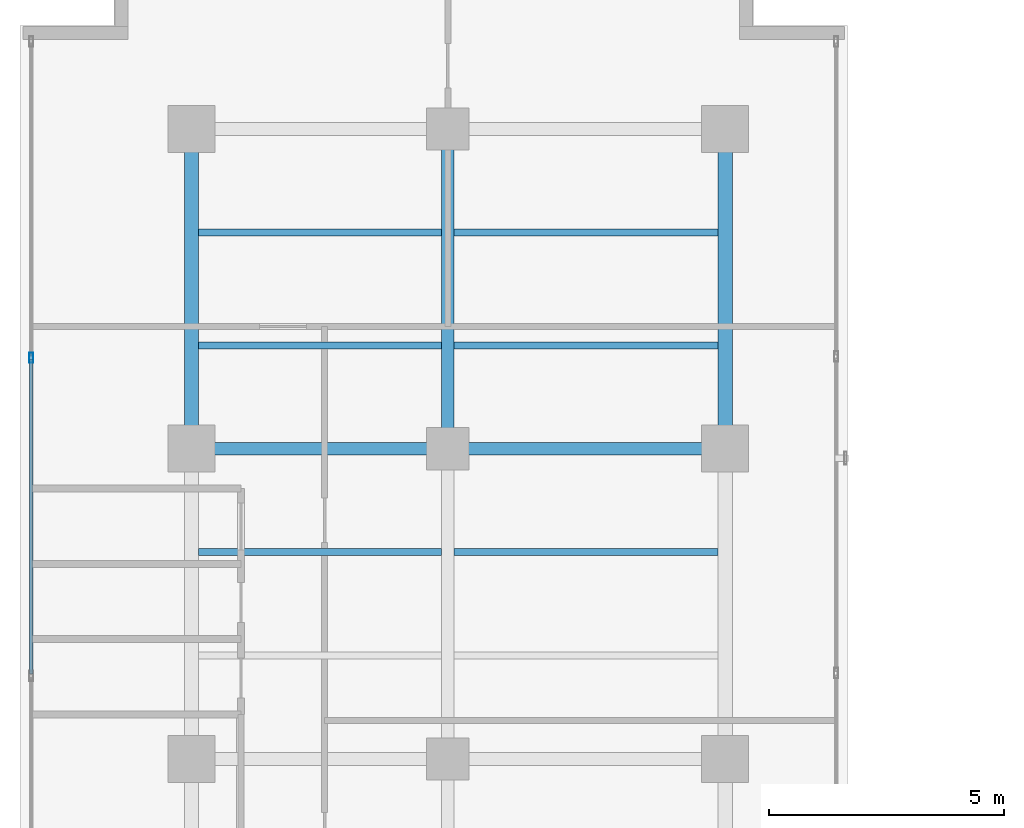
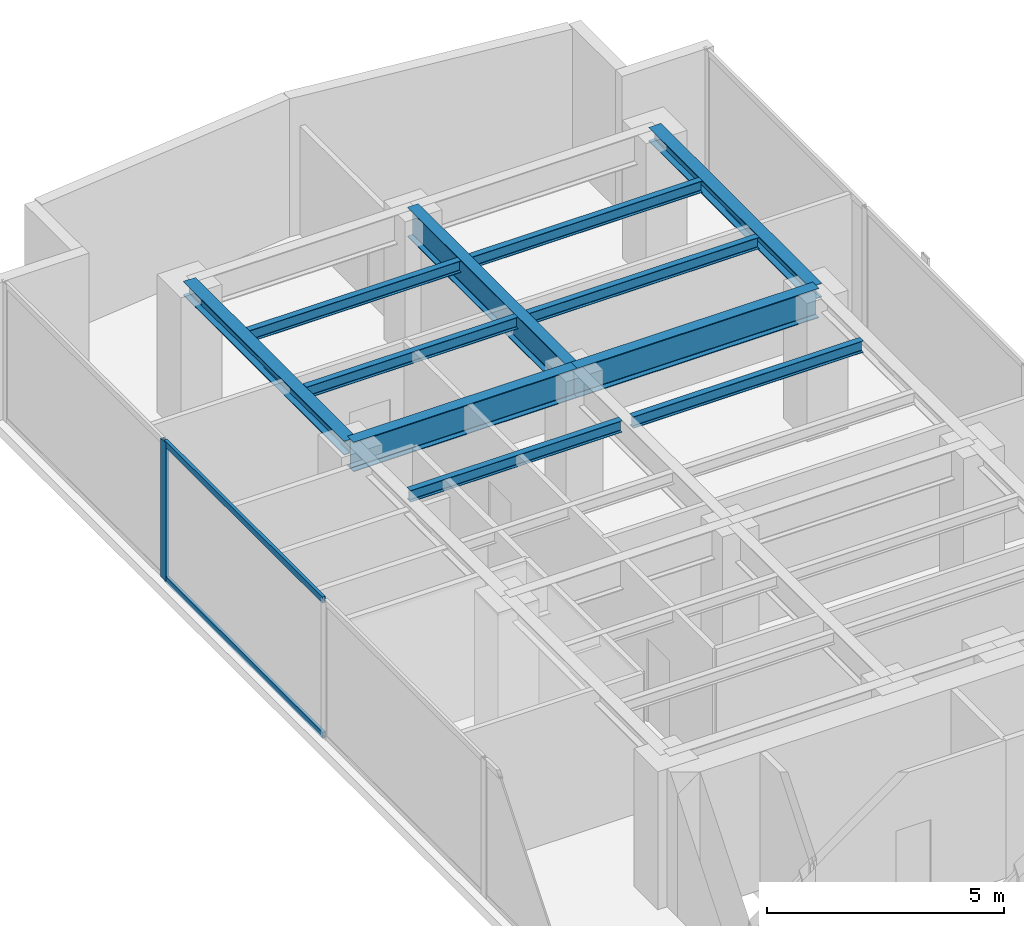
# One storey, part 13 of 23: 11 beams, 3 members, 1 element without a shape of its own.
"""IFC4 building model written with IfcOpenShell, lengths in metres."""

from ifc_helpers import new_model, si_unit, direction, frame, origin, origin_with_axes, origin_2d, place, context, subcontext, project, spatial, hollow_rectangle, i_section, extrude, source, transform, mapped, material, layer, layer_set, material_profile, profile_set, type_object, element, aggregate, save


model = new_model("IFC4")

# Units and contexts
model_context = context("Model", 3, precision=1e-05, world=origin(), true_north=direction((0.0, 1.0)))
body_context = subcontext(model_context, "Body", "Model", "MODEL_VIEW")
ifc_project = project(units=[si_unit("LENGTHUNIT", "METRE"), si_unit("AREAUNIT", "SQUARE_METRE"), si_unit("VOLUMEUNIT", "CUBIC_METRE"), si_unit("PLANEANGLEUNIT", "RADIAN"), si_unit("MASSUNIT", "GRAM", prefix="KILO")], contexts=[model_context])

# Site, building, storey
site_placement = place(None, origin())
site = spatial("IfcSite", under=ifc_project, at=site_placement, CompositionType="ELEMENT")
building_placement = place(site_placement, origin())
building = spatial("IfcBuilding", under=site, at=building_placement, Name="Kolvaren Waterfront Exchange", CompositionType="ELEMENT")
storey_placement = place(building_placement, frame((0.0, 0.0, 250.10009765625)))
storey = spatial("IfcBuildingStorey", under=building, at=storey_placement, Name="L64", CompositionType="ELEMENT", Elevation=250.10009765625)

# Beams
ifc_material_1 = material(Name="Steel S355", Category="steel")
ifc_material_profile_1 = material_profile(ifc_material_1, i_section(OverallWidth=0.300048828125, OverallDepth=0.360107421875, WebThickness=0.012451171875, FlangeThickness=0.0224609375, FilletRadius=0.027099609375, at=origin_2d()), Name="HEB360")
ifc_profile_set_1 = profile_set([ifc_material_profile_1], Name="Steel S355")
beam_type_1 = type_object("IfcBeamType", Name="STR-BM-HEB360", PredefinedType="SPANDREL", material=ifc_profile_set_1)
for number, where, z_axis, x_axis, name in (
    (1, (7.449951171875, 37.800048828125, 3.3798828125), (0.0, 1.0, 0.0), (-1.0, 0.0, 0.0), "L64 north-arm edge beam 3"),
    (2, (18.800048828125, 37.800048828125, 3.3798828125), (0.0, 1.0, 0.0), (-1.0, 0.0, 0.0), "L64 north-arm edge beam 3"),
):
    element("IfcBeam", number, at=place(storey_placement, frame(where, z_axis=z_axis, x_axis=x_axis)), inside=storey, type_object=beam_type_1, Name=name, PredefinedType="SPANDREL", context=body_context, shape_type="SweptSolid", body=[
        extrude(i_section(OverallWidth=0.300048828125, OverallDepth=0.360107421875, WebThickness=0.012451171875, FlangeThickness=0.0224609375, FilletRadius=0.027099609375, at=origin_2d()), origin(), (0.0, 0.0, 1.0), 6.800048828125),
    ])
ifc_material_profile_2 = material_profile(ifc_material_1, i_section(OverallWidth=0.14990234375, OverallDepth=0.300048828125, WebThickness=0.007080078125, FlangeThickness=0.0107421875, FilletRadius=0.014892578125, at=origin_2d()), Name="IPE300")
ifc_profile_set_2 = profile_set([ifc_material_profile_2], Name="Steel S355")
beam_type_2 = type_object("IfcBeamType", Name="STR-BM-IPE300", PredefinedType="JOIST", material=ifc_profile_set_2)
beam_1_placement = place(storey_placement, frame((7.60205078125, 35.60009765625, 3.409912109375), z_axis=(1.0, 0.0, 0.0), x_axis=(0.0, 1.0, 0.0)))
element("IfcBeam", 3, at=beam_1_placement, inside=storey, type_object=beam_type_2, Name="L64 north-arm composite joist 4A", PredefinedType="JOIST", context=body_context, shape_type="SweptSolid", body=[
    extrude(i_section(OverallWidth=0.14990234375, OverallDepth=0.300048828125, WebThickness=0.007080078125, FlangeThickness=0.0107421875, FilletRadius=0.014892578125, at=origin_2d()), origin(), (0.0, 0.0, 1.0), 5.162353515625),
])
beam_2_placement = place(storey_placement, frame((13.035400390625, 35.60009765625, 3.409912109375), z_axis=(1.0, 0.0, 0.0), x_axis=(0.0, 1.0, 0.0)))
element("IfcBeam", 4, at=beam_2_placement, inside=storey, type_object=beam_type_2, Name="L64 north-arm composite joist 4B", PredefinedType="JOIST", context=body_context, shape_type="SweptSolid", body=[
    extrude(i_section(OverallWidth=0.14990234375, OverallDepth=0.300048828125, WebThickness=0.007080078125, FlangeThickness=0.0107421875, FilletRadius=0.014892578125, at=origin_2d()), origin(), (0.0, 0.0, 1.0), 5.612548828125),
])
beam_3_placement = place(storey_placement, frame((7.60205078125, 40.0, 3.409912109375), z_axis=(1.0, 0.0, 0.0), x_axis=(0.0, 1.0, 0.0)))
element("IfcBeam", 5, at=beam_3_placement, inside=storey, type_object=beam_type_2, Name="L64 north-arm composite joist 5A", PredefinedType="JOIST", context=body_context, shape_type="SweptSolid", body=[
    extrude(i_section(OverallWidth=0.14990234375, OverallDepth=0.300048828125, WebThickness=0.007080078125, FlangeThickness=0.0107421875, FilletRadius=0.014892578125, at=origin_2d()), origin(), (0.0, 0.0, 1.0), 5.162353515625),
])
beam_4_placement = place(storey_placement, frame((13.035400390625, 40.0, 3.409912109375), z_axis=(1.0, 0.0, 0.0), x_axis=(0.0, 1.0, 0.0)))
element("IfcBeam", 6, at=beam_4_placement, inside=storey, type_object=beam_type_2, Name="L64 north-arm composite joist 5B", PredefinedType="JOIST", context=body_context, shape_type="SweptSolid", body=[
    extrude(i_section(OverallWidth=0.14990234375, OverallDepth=0.300048828125, WebThickness=0.007080078125, FlangeThickness=0.0107421875, FilletRadius=0.014892578125, at=origin_2d()), origin(), (0.0, 0.0, 1.0), 5.612548828125),
])
beam_5_placement = place(storey_placement, frame((7.60205078125, 42.39990234375, 3.409912109375), z_axis=(1.0, 0.0, 0.0), x_axis=(0.0, 1.0, 0.0)))
element("IfcBeam", 7, at=beam_5_placement, inside=storey, type_object=beam_type_2, Name="L64 north-arm composite joist 6A", PredefinedType="JOIST", context=body_context, shape_type="SweptSolid", body=[
    extrude(i_section(OverallWidth=0.14990234375, OverallDepth=0.300048828125, WebThickness=0.007080078125, FlangeThickness=0.0107421875, FilletRadius=0.014892578125, at=origin_2d()), origin(), (0.0, 0.0, 1.0), 5.162353515625),
])
beam_6_placement = place(storey_placement, frame((13.035400390625, 42.39990234375, 3.409912109375), z_axis=(1.0, 0.0, 0.0), x_axis=(0.0, 1.0, 0.0)))
element("IfcBeam", 8, at=beam_6_placement, inside=storey, type_object=beam_type_2, Name="L64 north-arm composite joist 6B", PredefinedType="JOIST", context=body_context, shape_type="SweptSolid", body=[
    extrude(i_section(OverallWidth=0.14990234375, OverallDepth=0.300048828125, WebThickness=0.007080078125, FlangeThickness=0.0107421875, FilletRadius=0.014892578125, at=origin_2d()), origin(), (0.0, 0.0, 1.0), 5.612548828125),
])
ifc_material_profile_3 = material_profile(ifc_material_1, i_section(OverallWidth=0.26708984375, OverallDepth=0.761962890625, WebThickness=0.014404296875, FlangeThickness=0.021484375, FilletRadius=0.01708984375, at=origin_2d()), Name="IPE750x173")
ifc_profile_set_3 = profile_set([ifc_material_profile_3], Name="Steel S355")
beam_type_3 = type_object("IfcBeamType", Name="STR-BM-IPE750", PredefinedType="BEAM", material=ifc_profile_set_3)
beam_7_placement = place(storey_placement, frame((7.449951171875, 37.800048828125, 3.178955078125), z_axis=(1.0, 0.0, 0.0), x_axis=(0.0, 1.0, 0.0)))
element("IfcBeam", 9, at=beam_7_placement, inside=storey, type_object=beam_type_3, Name="L64 north-arm girder 3A", PredefinedType="BEAM", context=body_context, shape_type="SweptSolid", body=[
    extrude(i_section(OverallWidth=0.26708984375, OverallDepth=0.761962890625, WebThickness=0.014404296875, FlangeThickness=0.021484375, FilletRadius=0.01708984375, at=origin_2d()), origin(), (0.0, 0.0, 1.0), 5.449951171875),
])
beam_8_placement = place(storey_placement, frame((12.89990234375, 37.800048828125, 3.178955078125), z_axis=(1.0, 0.0, 0.0), x_axis=(0.0, 1.0, 0.0)))
element("IfcBeam", 10, at=beam_8_placement, inside=storey, type_object=beam_type_3, Name="L64 north-arm girder 3B", PredefinedType="BEAM", context=body_context, shape_type="SweptSolid", body=[
    extrude(i_section(OverallWidth=0.26708984375, OverallDepth=0.761962890625, WebThickness=0.014404296875, FlangeThickness=0.021484375, FilletRadius=0.01708984375, at=origin_2d()), origin(), (0.0, 0.0, 1.0), 5.900146484375),
])
beam_9_placement = place(storey_placement, frame((12.89990234375, 37.800048828125, 3.178955078125), z_axis=(0.0, 1.0, 0.0), x_axis=(-1.0, 0.0, 0.0)))
element("IfcBeam", 11, at=beam_9_placement, inside=storey, type_object=beam_type_3, Name="L64 north-arm edge beam 3", PredefinedType="BEAM", context=body_context, shape_type="SweptSolid", body=[
    extrude(i_section(OverallWidth=0.26708984375, OverallDepth=0.761962890625, WebThickness=0.014404296875, FlangeThickness=0.021484375, FilletRadius=0.01708984375, at=origin_2d()), origin(), (0.0, 0.0, 1.0), 6.800048828125),
])

# Curtain wall, members
ifc_material_2 = material(Name="Anodised aluminium 6063-T6", Category="aluminium")
ifc_layer = layer(ifc_material_2, 0.219970703125, Name="Anodised aluminium 6063-T6")
ifc_layer_set = layer_set([ifc_layer], Name="Anodised aluminium 6063-T6")
curtain_wall_type = type_object("IfcCurtainWallType", Name="ARC-CW-SYS2", PredefinedType="USERDEFINED", material=ifc_layer_set)
curtain_wall_placement = place(storey_placement, origin())
curtain_wall = element("IfcCurtainWall", 12, at=curtain_wall_placement, inside=storey, type_object=curtain_wall_type, Name="L64 stick curtain wall CW2 (CW-L64-W)", ObjectType="STICK CURTAIN WALL", PredefinedType="USERDEFINED")
ifc_material_profile_4 = material_profile(ifc_material_2, hollow_rectangle(XDim=0.074951171875, YDim=0.159912109375, WallThickness=0.00439453125, at=origin_2d()), Name="ALU-TRN-160x75x4.5")
ifc_profile_set_4 = profile_set([ifc_material_profile_4], Name="Anodised aluminium 6063-T6")
member_type_1 = type_object("IfcMemberType", Name="ARC-CWT-160", PredefinedType="USERDEFINED", material=ifc_profile_set_4)
shared_shape_1 = source(origin_with_axes(), body_context, "Body", "SweptSolid", [
    extrude(hollow_rectangle(XDim=0.074951171875, YDim=0.159912109375, WallThickness=0.00439453125, at=origin_2d()), origin(), (0.0, 0.0, 1.0), 6.686767578125),
])
member_1_placement = place(storey_placement, frame((4.0400390625, 33.006591796875, 0.037353515625), z_axis=(0.0, 1.0, 0.0), x_axis=(-1.0, 0.0, 0.0)))
member_1 = element("IfcMember", 13, at=member_1_placement, type_object=member_type_1, Name="CW2 transom 5.1", ObjectType="TRANSOM", PredefinedType="USERDEFINED", context=body_context, shape_type="MappedRepresentation", body=[
    mapped(shared_shape_1, transform((0.0, 0.0, 0.0), x_axis=(1.0, 0.0, 0.0), y_axis=(0.0, 1.0, 0.0), z_axis=(0.0, 0.0, 1.0), scale=1.0)),
])
member_2_placement = place(storey_placement, frame((4.0400390625, 33.006591796875, 3.5224609375), z_axis=(0.0, 1.0, 0.0), x_axis=(-1.0, 0.0, 0.0)))
member_2 = element("IfcMember", 14, at=member_2_placement, type_object=member_type_1, Name="CW2 transom 5.2", ObjectType="TRANSOM", PredefinedType="USERDEFINED", context=body_context, shape_type="MappedRepresentation", body=[
    mapped(shared_shape_1, transform((0.0, 0.0, 0.0), x_axis=(1.0, 0.0, 0.0), y_axis=(0.0, 1.0, 0.0), z_axis=(0.0, 0.0, 1.0), scale=1.0)),
])
ifc_material_profile_5 = material_profile(ifc_material_2, hollow_rectangle(XDim=0.080078125, YDim=0.219970703125, WallThickness=0.0048828125, at=origin_2d()), Name="ALU-MUL-220x80x5")
ifc_profile_set_5 = profile_set([ifc_material_profile_5], Name="Anodised aluminium 6063-T6")
member_type_2 = type_object("IfcMemberType", Name="ARC-CWM-220", PredefinedType="MULLION", material=ifc_profile_set_5)
shared_shape_2 = source(origin_with_axes(), body_context, "Body", "SweptSolid", [
    extrude(hollow_rectangle(XDim=0.080078125, YDim=0.219970703125, WallThickness=0.0048828125, at=origin_2d()), origin(), (0.0, 0.0, 1.0), 3.559814453125),
])
member_3_placement = place(storey_placement, frame((4.0400390625, 39.7333984375, 0.0), z_axis=(0.0, 0.0, 1.0), x_axis=(-1.0, 0.0, 0.0)))
member_3 = element("IfcMember", 15, at=member_3_placement, type_object=member_type_2, Name="CW2 mullion 6", PredefinedType="MULLION", context=body_context, shape_type="MappedRepresentation", body=[
    mapped(shared_shape_2, transform((0.0, 0.0, 0.0), x_axis=(1.0, 0.0, 0.0), y_axis=(0.0, 1.0, 0.0), z_axis=(0.0, 0.0, 1.0), scale=1.0)),
])
aggregate(curtain_wall, [member_3, member_1, member_2])

save(model, "model.ifc")
